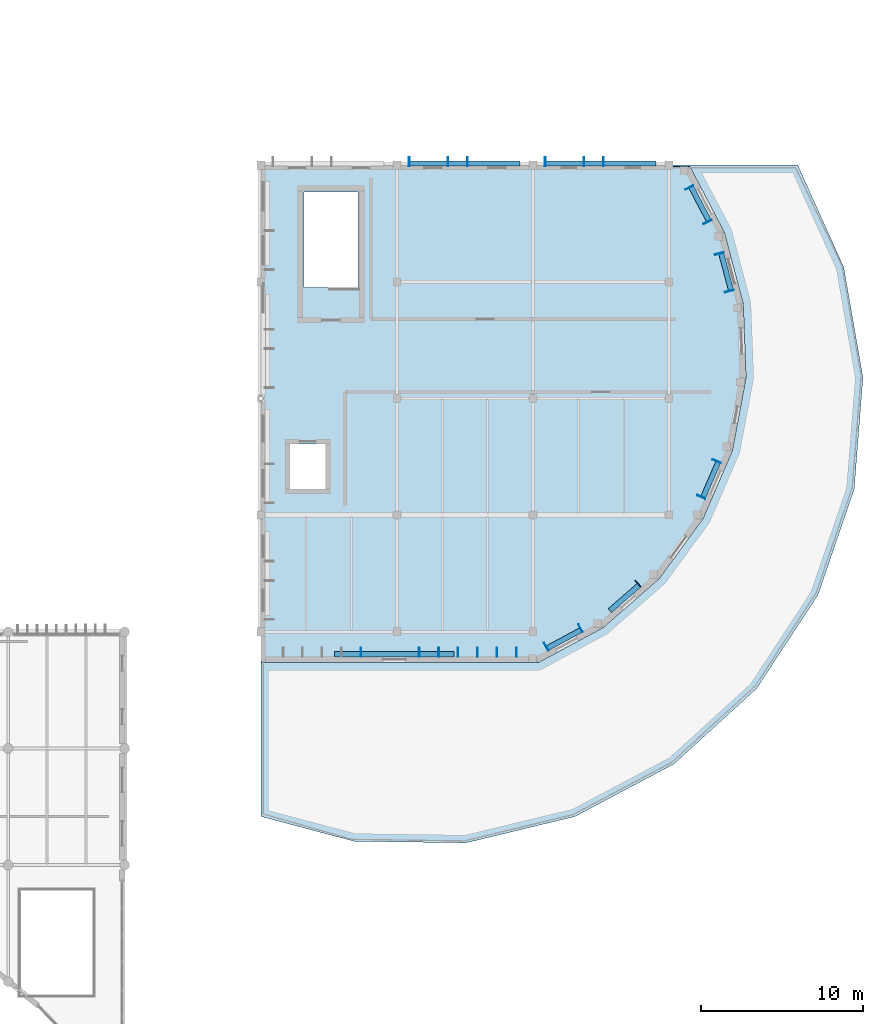
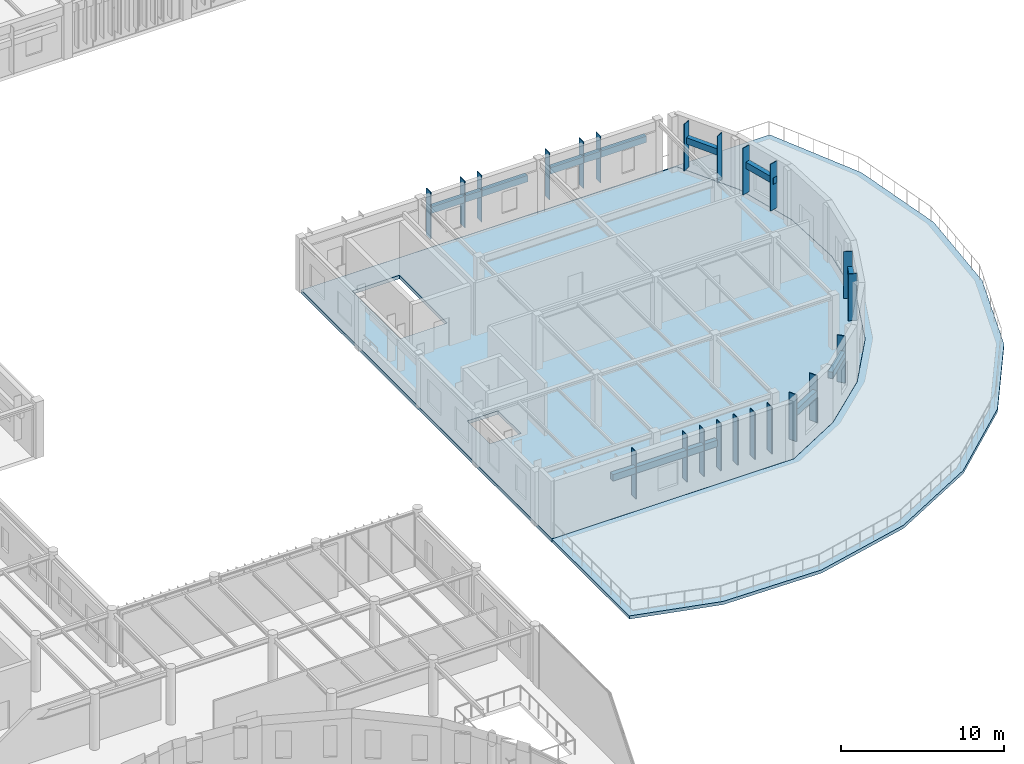
# One storey, part 32 of 104: 30 plates, 2 slabs.
"""IFC4 building model written with IfcOpenShell, lengths in metres."""

from ifc_helpers import new_model, si_unit, direction, frame, origin, origin_2d, place, context, subcontext, project, spatial, polyline, rectangle, outline, extrude, material, layer, layer_set, type_object, element, save


model = new_model("IFC4")

# Units and contexts
model_context = context("Model", 3, precision=1e-05, world=origin(), true_north=direction((0.0, 1.0)))
body_context = subcontext(model_context, "Body", "Model", "MODEL_VIEW")
ifc_project = project(units=[si_unit("LENGTHUNIT", "METRE"), si_unit("AREAUNIT", "SQUARE_METRE"), si_unit("VOLUMEUNIT", "CUBIC_METRE"), si_unit("PLANEANGLEUNIT", "RADIAN"), si_unit("MASSUNIT", "GRAM", prefix="KILO")], contexts=[model_context])

# Site, building, storey
site_placement = place(None, origin())
site = spatial("IfcSite", under=ifc_project, at=site_placement, CompositionType="ELEMENT")
building_placement = place(site_placement, origin())
building = spatial("IfcBuilding", under=site, at=building_placement, Name="Tazoul Stagehouse", CompositionType="ELEMENT")
storey_placement = place(building_placement, frame((0.0, 0.0, 9.0)))
storey = spatial("IfcBuildingStorey", under=building, at=storey_placement, Name="L02", CompositionType="ELEMENT", Elevation=9.0)

# Plates
ifc_material_1 = material(Name="Anodised Bronze Aluminium 6063-T6", Category="aluminium")
ifc_layer_1 = layer(ifc_material_1, 0.550048828125, Name="Anodised Bronze Aluminium 6063-T6")
ifc_layer_set_1 = layer_set([ifc_layer_1], Name="Anodised Bronze Aluminium 6063-T6")
plate_type_1 = type_object("IfcPlateType", Name="Parametric Terracotta-Bronze Solar Fin 550x3500", PredefinedType="USERDEFINED", material=ifc_layer_set_1)
for number, where, z_axis, x_axis, name in (
    (1, (134.554931640625, 59.22509765625, 0.6201171875), (0.0, 0.0, 1.0), (1.0, 0.0, 0.0), "L02 Parametric Solar Fin SFN-21 (WALL-V4-N-L02-S2-01)"),
    (2, (136.955078125, 59.22509765625, 0.6201171875), (0.0, 0.0, 1.0), (1.0, 0.0, 0.0), "L02 Parametric Solar Fin SFN-21 (WALL-V4-N-L02-S2-03)"),
    (3, (138.155029296875, 59.22509765625, 0.6201171875), (0.0, 0.0, 1.0), (1.0, 0.0, 0.0), "L02 Parametric Solar Fin SFN-21 (WALL-V4-N-L02-S2-04)"),
    (4, (142.955078125, 59.22509765625, 0.6201171875), (0.0, 0.0, 1.0), (1.0, 0.0, 0.0), "L02 Parametric Solar Fin SFN-21 (WALL-V4-N-L02-S3-01)"),
    (5, (145.35498046875, 59.22509765625, 0.6201171875), (0.0, 0.0, 1.0), (1.0, 0.0, 0.0), "L02 Parametric Solar Fin SFN-21 (WALL-V4-N-L02-S3-03)"),
    (6, (146.554931640625, 59.22509765625, 0.6201171875), (0.0, 0.0, 1.0), (1.0, 0.0, 0.0), "L02 Parametric Solar Fin SFN-21 (WALL-V4-N-L02-S3-04)"),
    (7, (151.851318359375, 57.62255859375, 0.6201171875), (0.0, 0.0, 1.0), (0.463698133833, -0.885993250922, 0.0), "L02 Parametric Solar Fin SFN-21 (WALL-V4-L02-ARC-01-S1-B1-01)"),
    (8, (152.96435546875, 55.49609375, 0.6201171875), (0.0, 0.0, 1.0), (0.463698133833, -0.885993250922, 0.0), "L02 Parametric Solar Fin SFN-21 (WALL-V4-L02-ARC-01-S1-B1-03)"),
    (9, (153.70263671875, 53.54833984375, 0.6201171875), (0.0, 0.0, 1.0), (0.256702673371, -0.966490422862, 0.0), "L02 Parametric Solar Fin SFN-21 (WALL-V4-L02-ARC-02-S1-B1-01)"),
    (10, (154.31884765625, 51.228759765625, 0.6201171875), (0.0, 0.0, 1.0), (0.256702673371, -0.966490422862, 0.0), "L02 Parametric Solar Fin SFN-21 (WALL-V4-L02-ARC-02-S1-B1-03)"),
    (11, (153.5380859375, 40.727294921875, 0.6201171875), (0.0, 0.0, 1.0), (-0.396761825571, -0.917921594566, 0.0), "L02 Parametric Solar Fin SFN-21 (WALL-V4-L02-ARC-05-S1-B1-01)"),
    (12, (152.5859375, 38.5244140625, 0.6201171875), (0.0, 0.0, 1.0), (-0.396761825571, -0.917921594566, 0.0), "L02 Parametric Solar Fin SFN-21 (WALL-V4-L02-ARC-05-S1-B1-03)"),
    (13, (148.678955078125, 33.169677734375, 0.6201171875), (0.0, 0.0, 1.0), (-0.753274190691, -0.657706616691, 0.0), "L02 Parametric Solar Fin SFN-21 (WALL-V4-L02-ARC-07-S1-B1-01)"),
    (14, (145.129150390625, 30.42138671875, 0.6201171875), (0.0, 0.0, 1.0), (-0.879845236247, -0.475260307887, 0.0), "L02 Parametric Solar Fin SFN-21 (WALL-V4-L02-ARC-08-S1-B1-01)"),
    (15, (143.017578125, 29.28076171875, 0.6201171875), (0.0, 0.0, 1.0), (-0.879845236247, -0.475260307887, 0.0), "L02 Parametric Solar Fin SFN-21 (WALL-V4-L02-ARC-08-S1-B1-03)"),
    (16, (141.177001953125, 28.925048828125, 0.6201171875), (0.0, 0.0, 1.0), (-1.0, 0.0, 0.0), "L02 Parametric Solar Fin SFN-21 (WALL-V4-L02-ARC-09-S1-B1-01)"),
    (17, (139.976806640625, 28.925048828125, 0.6201171875), (0.0, 0.0, 1.0), (-1.0, 0.0, 0.0), "L02 Parametric Solar Fin SFN-21 (WALL-V4-L02-ARC-09-S1-B1-02)"),
    (18, (138.77685546875, 28.925048828125, 0.6201171875), (0.0, 0.0, 1.0), (-1.0, 0.0, 0.0), "L02 Parametric Solar Fin SFN-21 (WALL-V4-L02-ARC-09-S1-B1-03)"),
    (19, (137.576904296875, 28.925048828125, 0.6201171875), (0.0, 0.0, 1.0), (-1.0, 0.0, 0.0), "L02 Parametric Solar Fin SFN-21 (WALL-V4-L02-ARC-09-S1-B1-04)"),
    (20, (136.376953125, 28.925048828125, 0.6201171875), (0.0, 0.0, 1.0), (-1.0, 0.0, 0.0), "L02 Parametric Solar Fin SFN-21 (WALL-V4-L02-ARC-09-S1-B1-05)"),
    (21, (135.177001953125, 28.925048828125, 0.6201171875), (0.0, 0.0, 1.0), (-1.0, 0.0, 0.0), "L02 Parametric Solar Fin SFN-21 (WALL-V4-L02-ARC-09-S1-B1-06)"),
    (22, (131.576904296875, 28.925048828125, 0.6201171875), (0.0, 0.0, 1.0), (-1.0, 0.0, 0.0), "L02 Parametric Solar Fin SFN-21 (WALL-V4-L02-ARC-09-S1-B1-09)"),
):
    element("IfcPlate", number, at=place(storey_placement, frame(where, z_axis=z_axis, x_axis=x_axis)), inside=storey, type_object=plate_type_1, Name=name, ObjectType="SOLAR FIN", PredefinedType="USERDEFINED", context=body_context, shape_type="SweptSolid", body=[
        extrude(rectangle(XDim=0.044921875, YDim=0.550048828125, at=origin_2d()), origin(), (0.0, 0.0, 1.0), 3.5),
    ])

# Slab
ifc_material_2 = material(Name="Concrete C35/45", Category="concrete")
ifc_layer_2 = layer(ifc_material_2, 0.239990234375, Name="Concrete C35/45")
ifc_layer_set_2 = layer_set([ifc_layer_2], Name="Concrete C35/45")
slab_type_1 = type_object("IfcSlabType", Name="Planted Terrace Slab 240", PredefinedType="FLOOR", material=ifc_layer_set_2)
slab_1_placement = place(storey_placement, frame((0.0, 0.0, -0.239990234375)))
element("IfcSlab", 23, at=slab_1_placement, inside=storey, type_object=slab_type_1, Name="L02 Planted Terrace Slab 240 (V4)", PredefinedType="FLOOR", context=body_context, shape_type="SweptSolid", body=[
    extrude(outline(polyline([(125.39990234375, 28.2958984375), (142.516845703125, 28.2958984375), (142.517333984375, 28.2958984375), (142.517578125, 28.296142578125), (142.51806640625, 28.296142578125), (142.518310546875, 28.29638671875), (142.518798828125, 28.29638671875), (146.543701171875, 30.470703125), (146.544189453125, 30.470703125), (146.54443359375, 30.47119140625), (149.990478515625, 33.479736328125), (149.99072265625, 33.47998046875), (149.9912109375, 33.48046875), (152.68798828125, 37.175537109375), (152.6884765625, 37.17578125), (152.688720703125, 37.17626953125), (154.503662109375, 41.37548828125), (154.503662109375, 41.3759765625), (154.50390625, 41.37646484375), (155.347412109375, 45.872802734375), (155.347412109375, 45.873046875), (155.347412109375, 45.87353515625), (155.177734375, 50.445068359375), (155.177734375, 50.445556640625), (155.177490234375, 50.44580078125), (154.00341796875, 54.8671875), (154.003173828125, 54.86767578125), (154.0029296875, 54.8681640625), (151.881591796875, 58.92138671875), (151.881591796875, 58.921630859375), (151.88134765625, 58.921875), (151.881103515625, 58.922119140625), (151.880859375, 58.922607421875), (151.88037109375, 58.922607421875), (151.880126953125, 58.9228515625), (151.879638671875, 58.923095703125), (151.87939453125, 58.923095703125), (151.87890625, 58.92333984375), (151.878662109375, 58.92333984375), (151.878173828125, 58.92333984375), (126.714111328125, 59.0), (158.545654296875, 59.0), (161.384765625, 52.69970703125), (162.56982421875, 45.8916015625), (162.026611328125, 39.002685546875), (159.7890625, 32.464599609375), (155.99755859375, 26.687255859375), (150.8896484375, 22.03271484375), (144.785888671875, 18.793212890625), (138.068603515625, 17.171142578125), (131.15869140625, 17.2685546875), (125.39990234375, 18.800048828125), (125.39990234375, 28.2958984375)])), origin(), (0.0, 0.0, 1.0), 0.239990234375),
])

# Plates
ifc_layer_3 = layer(ifc_material_1, 0.320068359375, Name="Anodised Bronze Aluminium 6063-T6")
ifc_layer_set_3 = layer_set([ifc_layer_3], Name="Anodised Bronze Aluminium 6063-T6")
plate_type_2 = type_object("IfcPlateType", Name="Sculpted Facade Spandrel Ribbon 2400x480", PredefinedType="USERDEFINED", material=ifc_layer_set_3)
for number, where, z_axis, x_axis, name in (
    (24, (152.514404296875, 56.603759765625, 2.51611328125), (0.0, 0.0, 1.0), (0.463698133833, -0.885993250922, 0.0), "L02 Sculpted Facade Spandrel Ribbon FRB-02 (WALL-V4-L02-ARC-01-S1-B1)"),
    (25, (154.132568359375, 52.3779296875, 2.51611328125), (0.0, 0.0, 1.0), (0.256702673371, -0.966490422862, 0.0), "L02 Sculpted Facade Spandrel Ribbon FRB-02 (WALL-V4-L02-ARC-02-S1-B1)"),
    (26, (153.16015625, 39.56298828125, 2.51611328125), (0.0, 0.0, 1.0), (-0.396761825571, -0.917921594566, 0.0), "L02 Sculpted Facade Spandrel Ribbon FRB-02 (WALL-V4-L02-ARC-05-S1-B1)"),
    (27, (147.854736328125, 32.29736328125, 2.51611328125), (0.0, 0.0, 1.0), (-0.753274190691, -0.657706616691, 0.0), "L02 Sculpted Facade Spandrel Ribbon FRB-02 (WALL-V4-L02-ARC-07-S1-B1)"),
    (28, (144.12060546875, 29.745849609375, 2.51611328125), (0.0, 0.0, 1.0), (-0.879845236247, -0.475260307887, 0.0), "L02 Sculpted Facade Spandrel Ribbon FRB-02 (WALL-V4-L02-ARC-08-S1-B1)"),
):
    element("IfcPlate", number, at=place(storey_placement, frame(where, z_axis=z_axis, x_axis=x_axis)), inside=storey, type_object=plate_type_2, Name=name, ObjectType="FACADE RIBBON", PredefinedType="USERDEFINED", context=body_context, shape_type="SweptSolid", body=[
        extrude(rectangle(XDim=2.39990234375, YDim=0.320068359375, at=origin_2d()), origin(), (0.0, 0.0, 1.0), 0.47998046875),
    ])
ifc_layer_4 = layer(ifc_material_1, 0.320068359375, Name="Anodised Bronze Aluminium 6063-T6")
ifc_layer_set_4 = layer_set([ifc_layer_4], Name="Anodised Bronze Aluminium 6063-T6")
plate_type_3 = type_object("IfcPlateType", Name="Sculpted Facade Spandrel Ribbon 6800x480", PredefinedType="USERDEFINED", material=ifc_layer_set_4)
for number, where, z_axis, x_axis, name in (
    (29, (138.0, 59.110107421875, 2.51611328125), (0.0, 0.0, 1.0), (1.0, 0.0, 0.0), "L02 Sculpted Facade Spandrel Ribbon FRB-10 (WALL-V4-N-L02-S2)"),
    (30, (146.39990234375, 59.110107421875, 2.51611328125), (0.0, 0.0, 1.0), (1.0, 0.0, 0.0), "L02 Sculpted Facade Spandrel Ribbon FRB-10 (WALL-V4-N-L02-S3)"),
):
    element("IfcPlate", number, at=place(storey_placement, frame(where, z_axis=z_axis, x_axis=x_axis)), inside=storey, type_object=plate_type_3, Name=name, ObjectType="FACADE RIBBON", PredefinedType="USERDEFINED", context=body_context, shape_type="SweptSolid", body=[
        extrude(rectangle(XDim=6.800048828125, YDim=0.320068359375, at=origin_2d()), origin(), (0.0, 0.0, 1.0), 0.47998046875),
    ])
ifc_layer_5 = layer(ifc_material_1, 0.320068359375, Name="Anodised Bronze Aluminium 6063-T6")
ifc_layer_set_5 = layer_set([ifc_layer_5], Name="Anodised Bronze Aluminium 6063-T6")
plate_type_4 = type_object("IfcPlateType", Name="Sculpted Facade Spandrel Ribbon 7400x480", PredefinedType="USERDEFINED", material=ifc_layer_set_5)
plate_placement = place(storey_placement, frame((133.63330078125, 28.81005859375, 2.51611328125), z_axis=(0.0, 0.0, 1.0), x_axis=(-1.0, 0.0, 0.0)))
element("IfcPlate", 31, at=plate_placement, inside=storey, type_object=plate_type_4, Name="L02 Sculpted Facade Spandrel Ribbon FRB-11 (WALL-V4-L02-ARC-09-S1-B1)", ObjectType="FACADE RIBBON", PredefinedType="USERDEFINED", context=body_context, shape_type="SweptSolid", body=[
    extrude(rectangle(XDim=7.39990234375, YDim=0.320068359375, at=origin_2d()), origin(), (0.0, 0.0, 1.0), 0.47998046875),
])

# Slab
ifc_layer_6 = layer(ifc_material_2, 0.260009765625, Name="Concrete C35/45")
ifc_layer_set_6 = layer_set([ifc_layer_6], Name="Concrete C35/45")
slab_type_2 = type_object("IfcSlabType", Name="Suspended Floor Slab 260", PredefinedType="FLOOR", material=ifc_layer_set_6)
slab_2_placement = place(storey_placement, frame((0.0, 0.0, -0.260009765625)))
element("IfcSlab", 32, at=slab_2_placement, inside=storey, type_object=slab_type_2, Name="L02 Suspended Floor Slab 260 (V4)", PredefinedType="FLOOR", context=body_context, shape_type="SweptSolid", body=[
    extrude(outline(polyline([(125.39990234375, 59.0), (151.878173828125, 58.91943359375), (153.99951171875, 54.8662109375), (155.173583984375, 50.44482421875), (155.343505859375, 45.873291015625), (154.5, 41.377197265625), (152.684814453125, 37.177978515625), (149.98779296875, 33.48291015625), (146.5419921875, 30.47412109375), (142.516845703125, 28.300048828125), (125.39990234375, 28.300048828125), (125.39990234375, 59.0)]), holes=[polyline([(127.199951171875, 39.0), (127.199951171875, 41.800048828125), (129.39990234375, 41.800048828125), (129.39990234375, 39.0), (127.199951171875, 39.0)]), polyline([(128.06005859375, 51.4599609375), (128.06005859375, 57.340087890625), (131.389892578125, 57.340087890625), (131.389892578125, 51.4599609375), (128.06005859375, 51.4599609375)])]), origin(), (0.0, 0.0, 1.0), 0.260009765625),
])

save(model, "model.ifc")
